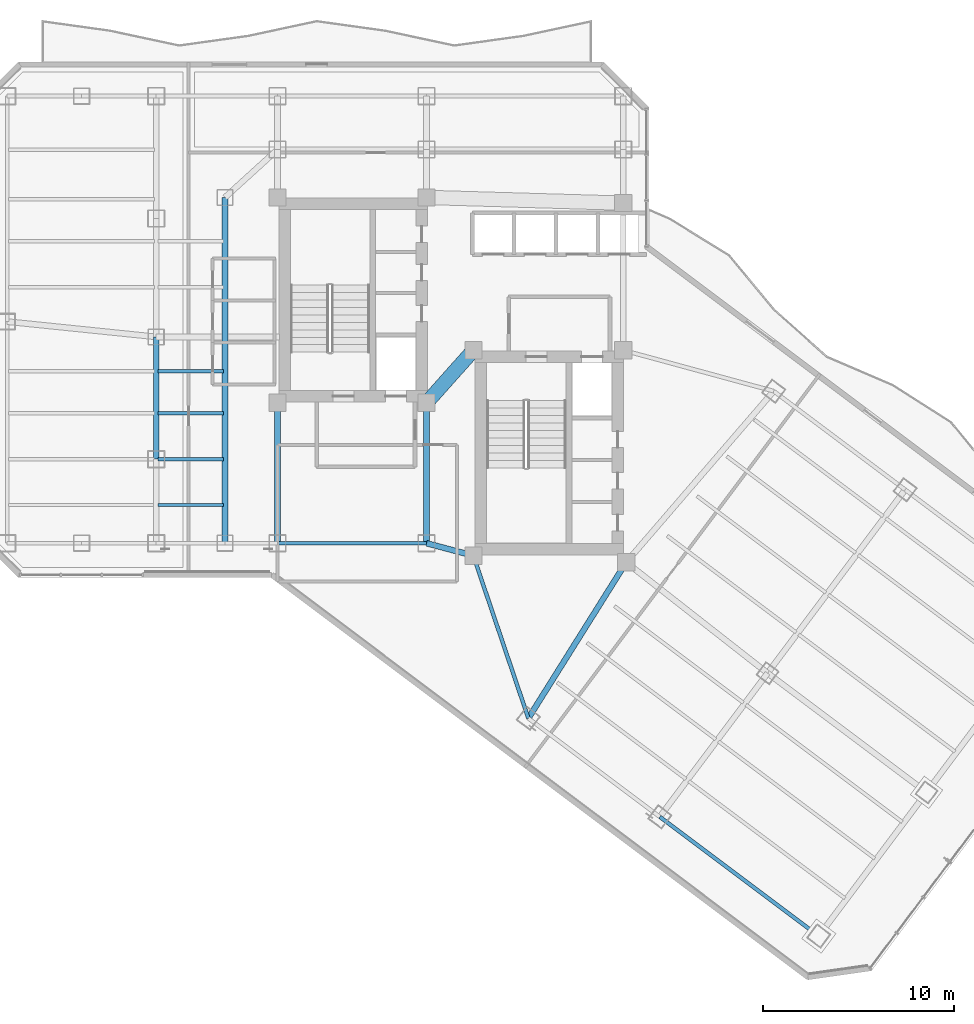
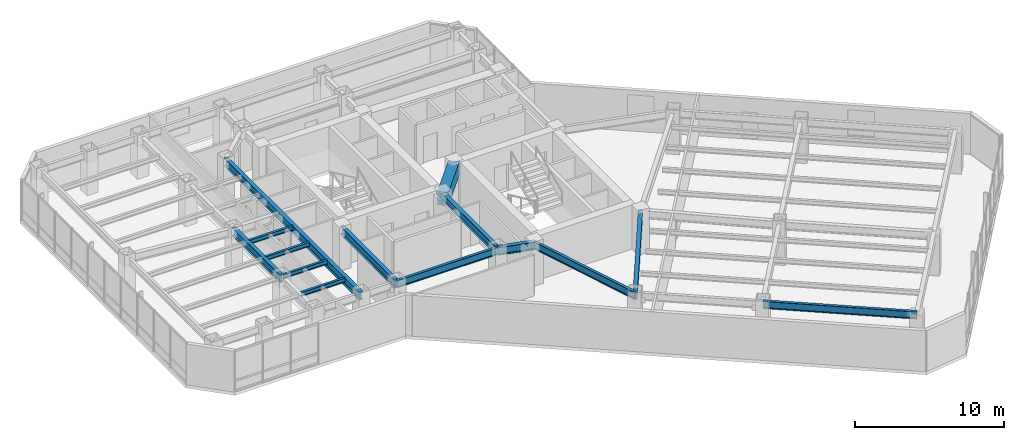
# One storey, part 5 of 29: 14 beams.
"""IFC4 building model written with IfcOpenShell, lengths in metres."""

from ifc_helpers import new_model, si_unit, direction, frame, origin, origin_2d, place, context, subcontext, project, spatial, rectangle, i_section, extrude, material, material_profile, profile_set, type_object, element, save


model = new_model("IFC4")

# Units and contexts
model_context = context("Model", 3, precision=1e-05, world=origin(), true_north=direction((0.0, 1.0)))
body_context = subcontext(model_context, "Body", "Model", "MODEL_VIEW")
ifc_project = project(units=[si_unit("LENGTHUNIT", "METRE"), si_unit("AREAUNIT", "SQUARE_METRE"), si_unit("VOLUMEUNIT", "CUBIC_METRE"), si_unit("PLANEANGLEUNIT", "RADIAN"), si_unit("MASSUNIT", "GRAM", prefix="KILO")], contexts=[model_context])

# Site, building, storey
site_placement = place(None, origin())
site = spatial("IfcSite", under=ifc_project, at=site_placement, CompositionType="ELEMENT")
building_placement = place(site_placement, origin())
building = spatial("IfcBuilding", under=site, at=building_placement, Name="Hatsunagi Terrace Concourse", CompositionType="ELEMENT")
storey_placement = place(building_placement, frame((0.0, 0.0, 126.449951171875)))
storey = spatial("IfcBuildingStorey", under=building, at=storey_placement, Name="L33", CompositionType="ELEMENT", Elevation=126.449951171875)

# Beams
ifc_material_1 = material(Name="Concrete Fc48", Category="concrete")
ifc_material_profile_1 = material_profile(ifc_material_1, rectangle(XDim=0.75, YDim=1.10009765625, at=origin_2d()), Name="RC-750x1100")
ifc_profile_set_1 = profile_set([ifc_material_profile_1], Name="Concrete Fc48")
beam_type_1 = type_object("IfcBeamType", Name="CoreCouplingBeam_RC_750x1100", PredefinedType="BEAM", material=ifc_profile_set_1)
beam_1_placement = place(storey_placement, frame((33.35009765625, 32.550048828125, 2.800048828125), z_axis=(0.665198651008, 0.746666427997, 0.0), x_axis=(-0.746666427997, 0.665198651008, 0.0)))
element("IfcBeam", 1, at=beam_1_placement, inside=storey, type_object=beam_type_1, Name="Beam CB-02 CB-L33-1", PredefinedType="BEAM", context=body_context, shape_type="SweptSolid", body=[
    extrude(rectangle(XDim=0.75, YDim=1.10009765625, at=origin_2d()), origin(), (0.0, 0.0, 1.0), 3.68310546875),
])
ifc_material_2 = material(Name="Steel SN490B", Category="steel")
ifc_material_profile_2 = material_profile(ifc_material_2, i_section(OverallWidth=0.175048828125, OverallDepth=0.35009765625, WebThickness=0.007080078125, FlangeThickness=0.010986328125, FilletRadius=0.012939453125, at=origin_2d()), Name="H-350x175x7x11")
ifc_profile_set_2 = profile_set([ifc_material_profile_2], Name="Steel SN490B")
beam_type_2 = type_object("IfcBeamType", Name="HotelJoist_H_350x175", PredefinedType="JOIST", material=ifc_profile_set_2)
for number, where, z_axis, x_axis, name in (
    (2, (19.284912109375, 27.199951171875, 3.175048828125), (1.0, 0.0, 0.0), (0.0, 1.0, 0.0), "Beam J-02 J-L33-W-19-272"),
    (3, (19.284912109375, 29.60009765625, 3.175048828125), (1.0, 0.0, 0.0), (0.0, 1.0, 0.0), "Beam J-02 J-L33-W-19-296"),
    (4, (19.284912109375, 32.0, 3.175048828125), (1.0, 0.0, 0.0), (0.0, 1.0, 0.0), "Beam J-02 J-L33-W-19-320"),
    (5, (19.284912109375, 34.199951171875, 3.175048828125), (1.0, 0.0, 0.0), (0.0, 1.0, 0.0), "Beam J-02 J-L33-W-19-342"),
):
    element("IfcBeam", number, at=place(storey_placement, frame(where, z_axis=z_axis, x_axis=x_axis)), inside=storey, type_object=beam_type_2, Name=name, PredefinedType="JOIST", context=body_context, shape_type="SweptSolid", body=[
        extrude(i_section(OverallWidth=0.175048828125, OverallDepth=0.35009765625, WebThickness=0.007080078125, FlangeThickness=0.010986328125, FilletRadius=0.012939453125, at=origin_2d()), origin(), (0.0, 0.0, 1.0), 3.43017578125),
    ])
ifc_material_3 = material(Name="Steel SN490B", Category="steel")
ifc_material_profile_3 = material_profile(ifc_material_3, i_section(OverallWidth=0.300048828125, OverallDepth=0.64990234375, WebThickness=0.012939453125, FlangeThickness=0.02197265625, FilletRadius=0.01806640625, at=origin_2d()), Name="H-650x300x13x22")
ifc_profile_set_3 = profile_set([ifc_material_profile_3], Name="Steel SN490B")
beam_type_3 = type_object("IfcBeamType", Name="OfficeLowGirder_H_650x300", PredefinedType="BEAM", material=ifc_profile_set_3)
for number, where, z_axis, x_axis, name in (
    (6, (25.550048828125, 25.199951171875, 3.025146484375), (0.0, 1.0, 0.0), (-1.0, 0.0, 0.0), "Beam G-05 BM-L33-K1CA"),
    (7, (33.35009765625, 25.199951171875, 3.025146484375), (0.0, 1.0, 0.0), (-1.0, 0.0, 0.0), "Beam G-05 BM-L33-K2CA"),
):
    element("IfcBeam", number, at=place(storey_placement, frame(where, z_axis=z_axis, x_axis=x_axis)), inside=storey, type_object=beam_type_3, Name=name, PredefinedType="BEAM", context=body_context, shape_type="SweptSolid", body=[
        extrude(i_section(OverallWidth=0.300048828125, OverallDepth=0.64990234375, WebThickness=0.012939453125, FlangeThickness=0.02197265625, FilletRadius=0.01806640625, at=origin_2d()), origin(), (0.0, 0.0, 1.0), 7.35009765625),
    ])
beam_2_placement = place(storey_placement, frame((33.35009765625, 25.199951171875, 3.025146484375), z_axis=(0.966569840116, -0.256403479262, 0.0), x_axis=(0.256403479262, 0.966569840116, 0.0)))
element("IfcBeam", 8, at=beam_2_placement, inside=storey, type_object=beam_type_3, Name="Beam G-05 BM-L33-K2CB", PredefinedType="BEAM", context=body_context, shape_type="SweptSolid", body=[
    extrude(i_section(OverallWidth=0.300048828125, OverallDepth=0.64990234375, WebThickness=0.012939453125, FlangeThickness=0.02197265625, FilletRadius=0.01806640625, at=origin_2d()), origin(), (0.0, 0.0, 1.0), 2.53466796875),
])
beam_3_placement = place(storey_placement, frame((22.800048828125, 25.199951171875, 3.025146484375), z_axis=(0.0, 1.0, 0.0), x_axis=(-1.0, 0.0, 0.0)))
element("IfcBeam", 9, at=beam_3_placement, inside=storey, type_object=beam_type_3, Name="Beam G-05 BM-L33-CWNS", PredefinedType="BEAM", context=body_context, shape_type="SweptSolid", body=[
    extrude(i_section(OverallWidth=0.300048828125, OverallDepth=0.64990234375, WebThickness=0.012939453125, FlangeThickness=0.02197265625, FilletRadius=0.01806640625, at=origin_2d()), origin(), (0.0, 0.0, 1.0), 18.10009765625),
])
beam_4_placement = place(storey_placement, frame((19.199951171875, 29.60009765625, 3.025146484375), z_axis=(0.0, 1.0, 0.0), x_axis=(-1.0, 0.0, 0.0)))
element("IfcBeam", 10, at=beam_4_placement, inside=storey, type_object=beam_type_3, Name="Beam G-05 BM-L33-NS-19-29", PredefinedType="BEAM", context=body_context, shape_type="SweptSolid", body=[
    extrude(i_section(OverallWidth=0.300048828125, OverallDepth=0.64990234375, WebThickness=0.012939453125, FlangeThickness=0.02197265625, FilletRadius=0.01806640625, at=origin_2d()), origin(), (0.0, 0.0, 1.0), 6.39990234375),
])
beam_5_placement = place(storey_placement, frame((38.679931640625, 16.0400390625, 3.025146484375), z_axis=(0.531503907049, 0.847055840421, 0.0), x_axis=(-0.847055840421, 0.531503907049, 0.0)))
element("IfcBeam", 11, at=beam_5_placement, inside=storey, type_object=beam_type_3, Name="Beam G-05 BM-L33-SET-1A", PredefinedType="BEAM", context=body_context, shape_type="SweptSolid", body=[
    extrude(i_section(OverallWidth=0.300048828125, OverallDepth=0.64990234375, WebThickness=0.012939453125, FlangeThickness=0.02197265625, FilletRadius=0.01806640625, at=origin_2d()), origin(), (0.0, 0.0, 1.0), 9.63330078125),
])
ifc_material_4 = material(Name="Steel SN490B", Category="steel")
ifc_material_profile_4 = material_profile(ifc_material_4, i_section(OverallWidth=0.199951171875, OverallDepth=0.60009765625, WebThickness=0.010986328125, FlangeThickness=0.01708984375, FilletRadius=0.01806640625, at=origin_2d()), Name="H-600x200x11x17")
ifc_profile_set_4 = profile_set([ifc_material_profile_4], Name="Steel SN490B")
beam_type_4 = type_object("IfcBeamType", Name="PerimeterSpandrel_H_600x200", PredefinedType="SPANDREL", material=ifc_profile_set_4)
beam_6_placement = place(storey_placement, frame((25.550048828125, 25.199951171875, 3.050048828125), z_axis=(1.0, 0.0, 0.0), x_axis=(0.0, 1.0, 0.0)))
element("IfcBeam", 12, at=beam_6_placement, inside=storey, type_object=beam_type_4, Name="Beam SP-01 BM-L33-WS-25", PredefinedType="SPANDREL", context=body_context, shape_type="SweptSolid", body=[
    extrude(i_section(OverallWidth=0.199951171875, OverallDepth=0.60009765625, WebThickness=0.010986328125, FlangeThickness=0.01708984375, FilletRadius=0.01806640625, at=origin_2d()), origin(), (0.0, 0.0, 1.0), 7.800048828125),
])
beam_7_placement = place(storey_placement, frame((35.800048828125, 24.550048828125, 3.050048828125), z_axis=(0.320553412271, -0.947230441805, 0.0), x_axis=(0.947230441805, 0.320553412271, 0.0)))
element("IfcBeam", 13, at=beam_7_placement, inside=storey, type_object=beam_type_4, Name="Beam SP-01 BM-L33-SE-SW0", PredefinedType="SPANDREL", context=body_context, shape_type="SweptSolid", body=[
    extrude(i_section(OverallWidth=0.199951171875, OverallDepth=0.60009765625, WebThickness=0.010986328125, FlangeThickness=0.01708984375, FilletRadius=0.01806640625, at=origin_2d()), origin(), (0.0, 0.0, 1.0), 8.984130859375),
])
beam_8_placement = place(storey_placement, frame((45.56005859375, 10.8798828125, 3.050048828125), z_axis=(0.799994365871, -0.600007512099, 0.0), x_axis=(0.600007512099, 0.799994365871, 0.0)))
element("IfcBeam", 14, at=beam_8_placement, inside=storey, type_object=beam_type_4, Name="Beam SP-01 BM-L33-SE-SW3", PredefinedType="SPANDREL", context=body_context, shape_type="SweptSolid", body=[
    extrude(i_section(OverallWidth=0.199951171875, OverallDepth=0.60009765625, WebThickness=0.010986328125, FlangeThickness=0.01708984375, FilletRadius=0.01806640625, at=origin_2d()), origin(), (0.0, 0.0, 1.0), 10.39990234375),
])

save(model, "model.ifc")
